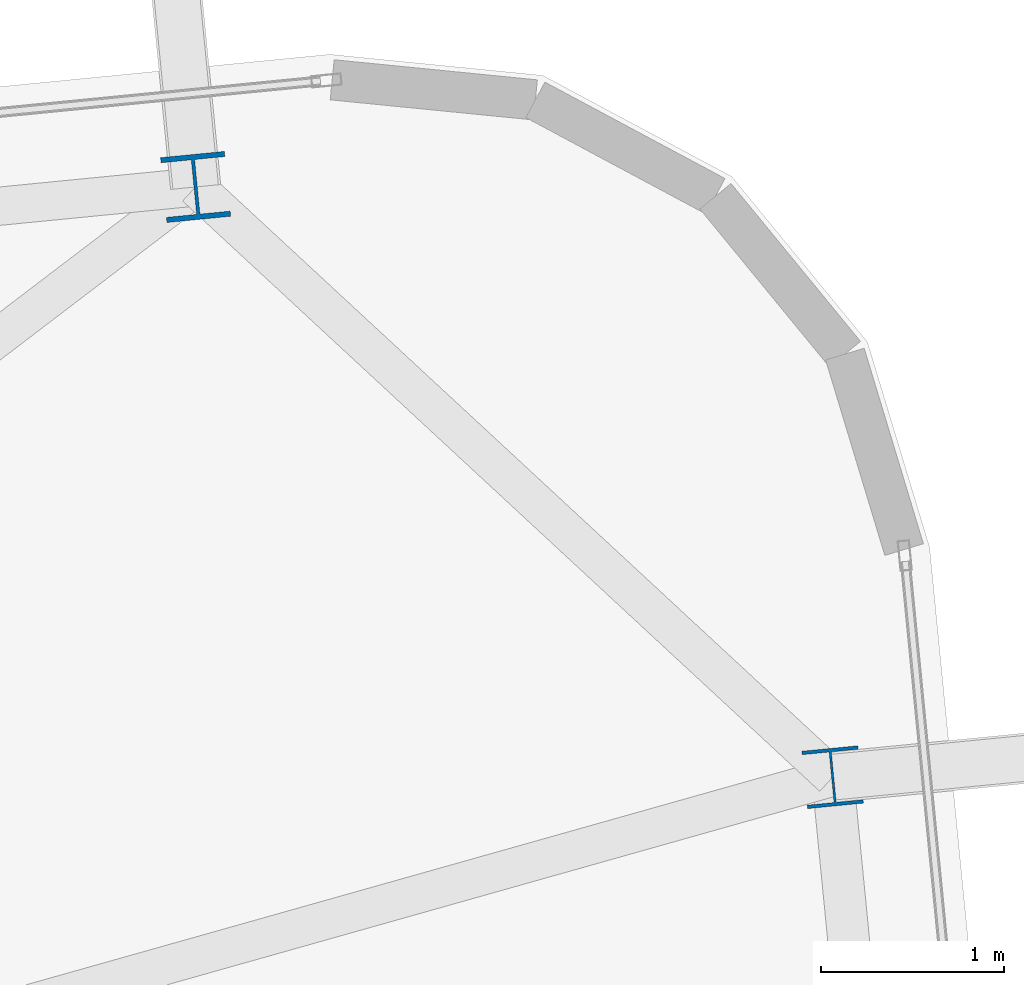
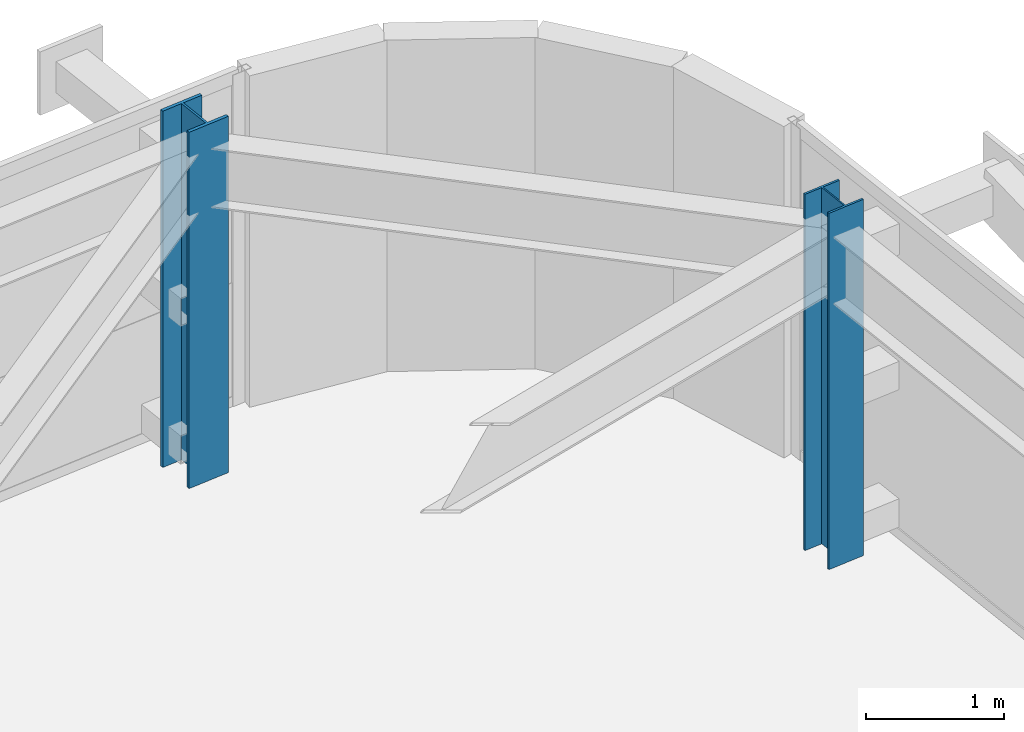
# One storey, part 4 of 54: 2 columns.
"""IFC4 building model written with IfcOpenShell, lengths in metres."""

from ifc_helpers import new_model, si_unit, direction, frame, origin, origin_2d, place, context, subcontext, project, spatial, i_section, extrude, source, transform, mapped, material, material_profile, profile_set, type_object, element, save


model = new_model("IFC4")

# Units and contexts
model_context = context("Model", 3, precision=1e-05, world=origin(), true_north=direction((0.0, 1.0)))
body_context = subcontext(model_context, "Body", "Model", "MODEL_VIEW")
ifc_project = project(units=[si_unit("LENGTHUNIT", "METRE"), si_unit("AREAUNIT", "SQUARE_METRE"), si_unit("VOLUMEUNIT", "CUBIC_METRE"), si_unit("PLANEANGLEUNIT", "RADIAN"), si_unit("MASSUNIT", "GRAM", prefix="KILO")], contexts=[model_context])

# Site, building, storey
site_placement = place(None, origin())
site = spatial("IfcSite", under=ifc_project, at=site_placement, CompositionType="ELEMENT")
building_placement = place(site_placement, origin())
building = spatial("IfcBuilding", under=site, at=building_placement, Name="Taldren Reach Tower", CompositionType="ELEMENT")
storey_placement = place(building_placement, frame((0.0, 0.0, 102.89990234375)))
storey = spatial("IfcBuildingStorey", under=building, at=storey_placement, Name="L31", CompositionType="ELEMENT", Elevation=102.89990234375)

# Columns
ifc_material = material(Name="Steel Gr 350 (350PLUS)", Category="steel")
ifc_material_profile_1 = material_profile(ifc_material, i_section(OverallWidth=0.35009765625, OverallDepth=0.35595703125, WebThickness=0.01806640625, FlangeThickness=0.028076171875, at=origin_2d()), Name="350WC197")
ifc_profile_set_1 = profile_set([ifc_material_profile_1], Name="Steel Gr 350 (350PLUS)")
column_type_1 = type_object("IfcColumnType", Name="COL-WC350", PredefinedType="COLUMN", material=ifc_profile_set_1)
shared_shape_1 = source(origin(), body_context, "Body", "SweptSolid", [
    extrude(i_section(OverallWidth=0.35009765625, OverallDepth=0.35595703125, WebThickness=0.01806640625, FlangeThickness=0.028076171875, at=origin_2d()), origin(), (0.0, 0.0, 1.0), 3.150146484375),
])
column_1_placement = place(storey_placement, frame((59.765869140625, 38.679931640625, 0.0), z_axis=(0.0, 0.0, 1.0), x_axis=(0.995227399982, 0.097582899759, 0.0)))
element("IfcColumn", 1, at=column_1_placement, inside=storey, type_object=column_type_1, Name="Block B2 perimeter column N6 L31", PredefinedType="COLUMN", context=body_context, shape_type="MappedRepresentation", body=[
    mapped(shared_shape_1, transform((0.0, 0.0, 0.0), scale=1.0)),
])
ifc_material_profile_2 = material_profile(ifc_material, i_section(OverallWidth=0.306884765625, OverallDepth=0.31494140625, WebThickness=0.011962890625, FlangeThickness=0.018798828125, at=origin_2d()), Name="310UC118")
ifc_profile_set_2 = profile_set([ifc_material_profile_2], Name="Steel Gr 350 (350PLUS)")
column_type_2 = type_object("IfcColumnType", Name="COL-UC310B", PredefinedType="COLUMN", material=ifc_profile_set_2)
shared_shape_2 = source(origin(), body_context, "Body", "SweptSolid", [
    extrude(i_section(OverallWidth=0.306884765625, OverallDepth=0.31494140625, WebThickness=0.011962890625, FlangeThickness=0.018798828125, at=origin_2d()), origin(), (0.0, 0.0, 1.0), 3.150146484375),
])
column_2_placement = place(storey_placement, frame((63.247314453125, 35.454345703125, 0.0), z_axis=(0.0, 0.0, 1.0), x_axis=(0.995227399982, 0.097582899759, 0.0)))
element("IfcColumn", 2, at=column_2_placement, inside=storey, type_object=column_type_2, Name="Block B2 perimeter column E3 L31", PredefinedType="COLUMN", context=body_context, shape_type="MappedRepresentation", body=[
    mapped(shared_shape_2, transform((0.0, 0.0, 0.0), scale=1.0)),
])

save(model, "model.ifc")
